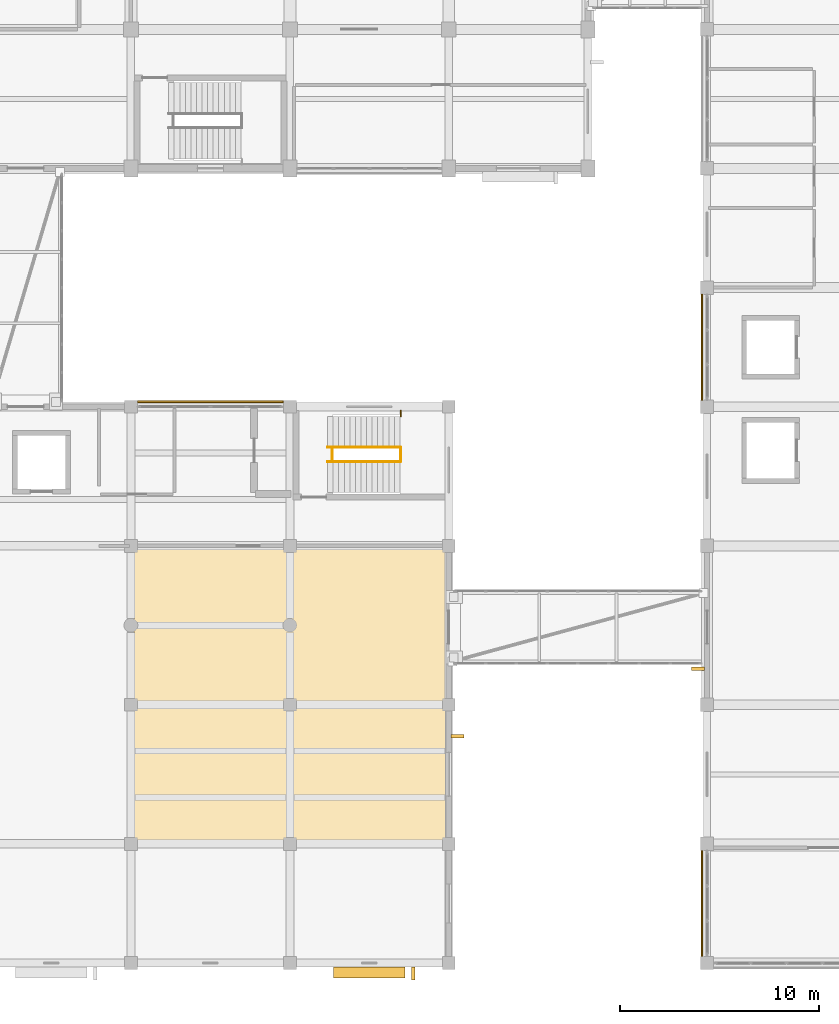
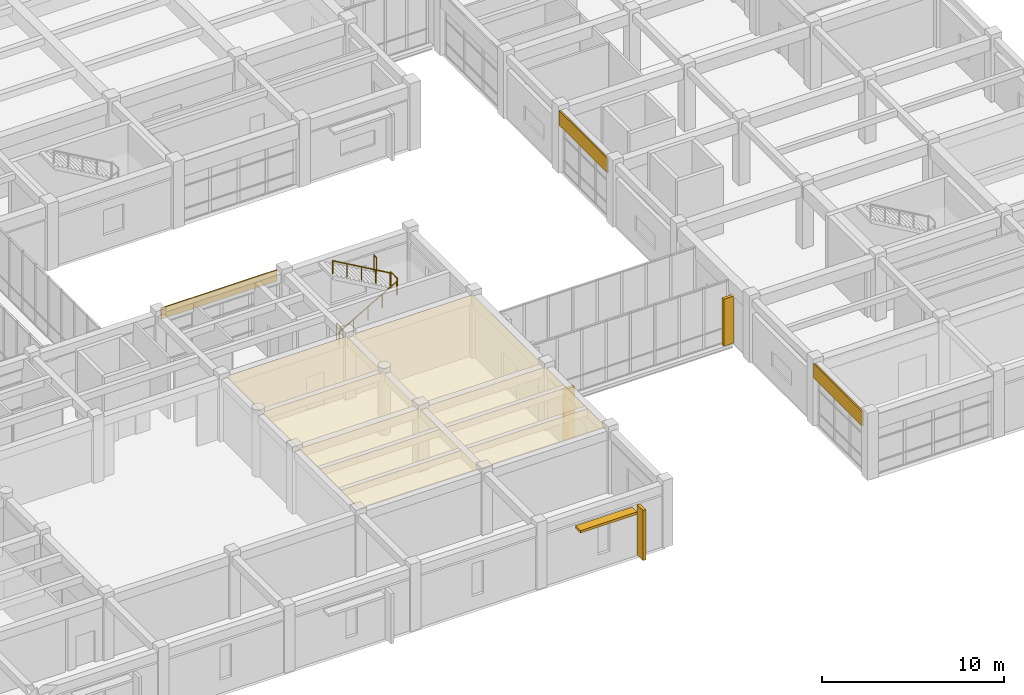
# One storey, part 66 of 72: 5 railings, 4 coverings, 4 shading devices.
"""IFC4 building model written with IfcOpenShell, lengths in metres."""

from ifc_helpers import new_model, si_unit, direction, frame, origin, origin_2d, place, context, subcontext, project, spatial, polyline, rectangle, circle, outline, extrude, material, layer, layer_set, type_object, element, save


model = new_model("IFC4")

# Units and contexts
model_context = context("Model", 3, precision=1e-05, world=origin(), true_north=direction((0.0, 1.0)))
body_context = subcontext(model_context, "Body", "Model", "MODEL_VIEW")
ifc_project = project(units=[si_unit("LENGTHUNIT", "METRE"), si_unit("AREAUNIT", "SQUARE_METRE"), si_unit("VOLUMEUNIT", "CUBIC_METRE"), si_unit("PLANEANGLEUNIT", "RADIAN"), si_unit("MASSUNIT", "GRAM", prefix="KILO")], contexts=[model_context])

# Site, building, storey
site_placement = place(None, origin())
site = spatial("IfcSite", under=ifc_project, at=site_placement, CompositionType="ELEMENT")
building_placement = place(site_placement, origin())
building = spatial("IfcBuilding", under=site, at=building_placement, Name="Naurynzar Civic Courthouse", CompositionType="ELEMENT")
storey_placement = place(building_placement, frame((0.0, 0.0, 9.89990234375)))
storey = spatial("IfcBuildingStorey", under=building, at=storey_placement, Name="L03", CompositionType="ELEMENT", Elevation=9.89990234375)

# Coverings
ifc_material_1 = material(Name="Mineral Fibre Acoustic Ceiling")
ifc_layer_1 = layer(ifc_material_1, 0.030029296875)
ifc_layer_set_1 = layer_set([ifc_layer_1], Name="CEIL-MINERAL-30")
covering_type_1 = type_object("IfcCoveringType", Name="CEIL-MINERAL-30", PredefinedType="CEILING", material=ifc_layer_set_1)
covering_1_placement = place(storey_placement, frame((0.0, 0.0, 4.114990234375)))
element("IfcCovering", 1, at=covering_1_placement, inside=storey, type_object=covering_type_1, Name="Acoustic suspended ceiling Legal Scholars Seminar Room L06", PredefinedType="CEILING", context=body_context, shape_type="SweptSolid", body=[
    extrude(outline(polyline([(116.840087890625, 10.159912109375), (101.159912109375, 10.159912109375), (101.159912109375, 24.840087890625), (116.840087890625, 24.840087890625), (116.840087890625, 10.159912109375)])), origin(), (0.0, 0.0, 1.0), 0.030029296875),
])
ifc_material_2 = material(Name="Precast concrete C40/50", Category="concrete")
ifc_layer_2 = layer(ifc_material_2, 0.080078125)
ifc_layer_set_2 = layer_set([ifc_layer_2], Name="COV-CLAD-PRECAST-80")
covering_type_2 = type_object("IfcCoveringType", Name="COV-CLAD-PRECAST-80", PredefinedType="CLADDING", material=ifc_layer_set_2)
covering_2_placement = place(storey_placement, frame((105.0, 32.2548828125, 3.43994140625), z_axis=(0.0, 0.0, 1.0), x_axis=(1.0, 0.0, 0.0)))
element("IfcCovering", 2, at=covering_2_placement, inside=storey, type_object=covering_type_2, Name="V3 precast spandrel cladding 69", PredefinedType="CLADDING", context=body_context, shape_type="SweptSolid", body=[
    extrude(rectangle(XDim=7.35009765625, YDim=0.080078125, at=origin_2d()), origin(), (0.0, 0.0, 1.0), 0.719970703125),
])
for number, where, z_axis, x_axis, name in (
    (3, (129.7451171875, 7.0, 3.22998046875), (0.0, 0.0, 1.0), (0.0, 1.0, 0.0), "V5 precast spandrel cladding 90"),
    (4, (129.7451171875, 35.0, 3.22998046875), (0.0, 0.0, 1.0), (0.0, 1.0, 0.0), "V5 precast spandrel cladding 91"),
):
    element("IfcCovering", number, at=place(storey_placement, frame(where, z_axis=z_axis, x_axis=x_axis)), inside=storey, type_object=covering_type_2, Name=name, PredefinedType="CLADDING", context=body_context, shape_type="SweptSolid", body=[
        extrude(rectangle(XDim=5.324951171875, YDim=0.080078125, at=origin_2d()), origin(), (0.0, 0.0, 1.0), 0.969970703125),
    ])

# Railings
ifc_material_3 = material(Name="Brushed Stainless Steel 304", Category="steel")
railing_type_1 = type_object("IfcRailingType", Name="RAIL-BAL-1100", PredefinedType="BALUSTRADE", material=ifc_material_3)
for number, where, name in (
    (5, (111.139892578125, 29.239990234375, 0.0), "Stair ST-V3B floor well slot guard L03"),
    (6, (114.580078125, 29.239990234375, 2.25), "Stair ST-V3B-L03 half-landing well guard"),
):
    element("IfcRailing", number, at=place(storey_placement, frame(where)), inside=storey, type_object=railing_type_1, Name=name, PredefinedType="BALUSTRADE", context=body_context, shape_type="SweptSolid", body=[
        extrude(circle(Radius=0.02392578125, at=origin_2d()), frame((0.0, 0.0, 1.09619140625), z_axis=(0.0, 1.0, 0.0), x_axis=(-1.0, 0.0, 0.0)), (0.0, 0.0, 1.0), 0.719970703125),
        extrude(circle(Radius=0.02099609375, at=origin_2d()), origin(), (0.0, 0.0, 1.0), 1.072021484375),
        extrude(circle(Radius=0.02099609375, at=origin_2d()), frame((0.0, 0.719970703125, 0.0)), (0.0, 0.0, 1.0), 1.072021484375),
    ])
railing_1_placement = place(storey_placement, frame((114.580078125, 31.52001953125, 2.25)))
element("IfcRailing", 7, at=railing_1_placement, inside=storey, type_object=railing_type_1, Name="Stair ST-V3B-L03 half-landing north slot guard", PredefinedType="BALUSTRADE", context=body_context, shape_type="SweptSolid", body=[
    extrude(circle(Radius=0.02392578125, at=origin_2d()), frame((0.0, 0.0, 1.09619140625), z_axis=(0.0, 1.0, 0.0), x_axis=(-1.0, 0.0, 0.0)), (0.0, 0.0, 1.0), 0.284912109375),
    extrude(circle(Radius=0.02099609375, at=origin_2d()), origin(), (0.0, 0.0, 1.0), 1.072021484375),
    extrude(circle(Radius=0.02099609375, at=origin_2d()), frame((0.0, 0.284912109375, 0.0)), (0.0, 0.0, 1.0), 1.072021484375),
])
ifc_material_4 = material(Name="Brushed Stainless Steel 304", Category="steel")
railing_type_2 = type_object("IfcRailingType", Name="RAIL-HR-900", PredefinedType="HANDRAIL", material=ifc_material_4)
railing_2_placement = place(storey_placement, frame((110.89990234375, 29.239990234375, 0.160888671875)))
element("IfcRailing", 8, at=railing_2_placement, inside=storey, type_object=railing_type_2, Name="Stair ST-V3B-L03 flight 1 handrail", PredefinedType="HANDRAIL", context=body_context, shape_type="SweptSolid", body=[
    extrude(circle(Radius=0.02392578125, at=origin_2d()), frame((0.0, 0.0, 0.8759765625), z_axis=(0.867314486057, 0.0, 0.497760567216), x_axis=(0.0, 1.0, 0.0)), (0.0, 0.0, 1.0), 4.197021484375),
    extrude(circle(Radius=0.02099609375, at=origin_2d()), origin(), (0.0, 0.0, 1.0), 0.851806640625),
    extrude(circle(Radius=0.02099609375, at=origin_2d()), frame((0.91015625, 0.0, 0.522216796875)), (0.0, 0.0, 1.0), 0.851806640625),
    extrude(circle(Radius=0.02099609375, at=origin_2d()), frame((1.820068359375, 0.0, 1.04443359375)), (0.0, 0.0, 1.0), 0.851806640625),
    extrude(circle(Radius=0.02099609375, at=origin_2d()), frame((2.72998046875, 0.0, 1.56689453125)), (0.0, 0.0, 1.0), 0.851806640625),
    extrude(circle(Radius=0.02099609375, at=origin_2d()), frame((3.64013671875, 0.0, 2.089111328125)), (0.0, 0.0, 1.0), 0.851806640625),
])
railing_3_placement = place(storey_placement, frame((114.5400390625, 29.9599609375, 2.410888671875)))
element("IfcRailing", 9, at=railing_3_placement, inside=storey, type_object=railing_type_2, Name="Stair ST-V3B-L03 flight 2 handrail", PredefinedType="HANDRAIL", context=body_context, shape_type="SweptSolid", body=[
    extrude(circle(Radius=0.02392578125, at=origin_2d()), frame((0.0, 0.0, 0.8759765625), z_axis=(-0.867314486057, 0.0, 0.497760567216), x_axis=(0.0, -1.0, 0.0)), (0.0, 0.0, 1.0), 4.197021484375),
    extrude(circle(Radius=0.02099609375, at=origin_2d()), origin(), (0.0, 0.0, 1.0), 0.851806640625),
    extrude(circle(Radius=0.02099609375, at=origin_2d()), frame((-0.91015625, 0.0, 0.522216796875)), (0.0, 0.0, 1.0), 0.851806640625),
    extrude(circle(Radius=0.02099609375, at=origin_2d()), frame((-1.820068359375, 0.0, 1.04443359375)), (0.0, 0.0, 1.0), 0.851806640625),
    extrude(circle(Radius=0.02099609375, at=origin_2d()), frame((-2.72998046875, 0.0, 1.56689453125)), (0.0, 0.0, 1.0), 0.851806640625),
    extrude(circle(Radius=0.02099609375, at=origin_2d()), frame((-3.64013671875, 0.0, 2.089111328125)), (0.0, 0.0, 1.0), 0.851806640625),
])

# Shading devices
ifc_material_5 = material(Name="Precast concrete C40/50", Category="concrete")
shading_device_type_1 = type_object("IfcShadingDeviceType", Name="SHD-FIN-V650", PredefinedType="JALOUSIE", material=ifc_material_5)
for number, where, z_axis, x_axis, name in (
    (10, (117.449951171875, 15.405029296875, 0.0400390625), (0.0, 0.0, 1.0), (0.0, -1.0, 0.0), "V3 vertical brise-soleil fin 42"),
    (11, (115.205078125, 3.469970703125, 0.0400390625), (0.0, 0.0, 1.0), (-1.0, 0.0, 0.0), "V3 vertical brise-soleil fin 43"),
):
    element("IfcShadingDevice", number, at=place(storey_placement, frame(where, z_axis=z_axis, x_axis=x_axis)), inside=storey, type_object=shading_device_type_1, Name=name, PredefinedType="JALOUSIE", context=body_context, shape_type="SweptSolid", body=[
        extrude(rectangle(XDim=0.179931640625, YDim=0.64990234375, at=origin_2d()), origin(), (0.0, 0.0, 1.0), 3.360107421875),
    ])
shading_device_1_placement = place(storey_placement, frame((129.550048828125, 18.802490234375, 0.0400390625), z_axis=(0.0, 0.0, 1.0), x_axis=(0.0, 1.0, 0.0)))
element("IfcShadingDevice", 12, at=shading_device_1_placement, inside=storey, type_object=shading_device_type_1, Name="V5 vertical brise-soleil fin 79", PredefinedType="JALOUSIE", context=body_context, shape_type="SweptSolid", body=[
    extrude(rectangle(XDim=0.179931640625, YDim=0.64990234375, at=origin_2d()), origin(), (0.0, 0.0, 1.0), 3.14990234375),
])
ifc_material_6 = material(Name="Precast concrete C40/50", Category="concrete")
shading_device_type_2 = type_object("IfcShadingDeviceType", Name="SHD-LOUV-H550", PredefinedType="SHUTTER", material=ifc_material_6)
shading_device_2_placement = place(storey_placement, frame((113.0, 3.52001953125, 3.2001953125), z_axis=(0.0, 0.0, 1.0), x_axis=(-1.0, 0.0, 0.0)))
element("IfcShadingDevice", 13, at=shading_device_2_placement, inside=storey, type_object=shading_device_type_2, Name="V3 horizontal solar sun-breaker 43", PredefinedType="SHUTTER", context=body_context, shape_type="SweptSolid", body=[
    extrude(rectangle(XDim=3.60009765625, YDim=0.550048828125, at=origin_2d()), origin(), (0.0, 0.0, 1.0), 0.159912109375),
])

save(model, "model.ifc")
